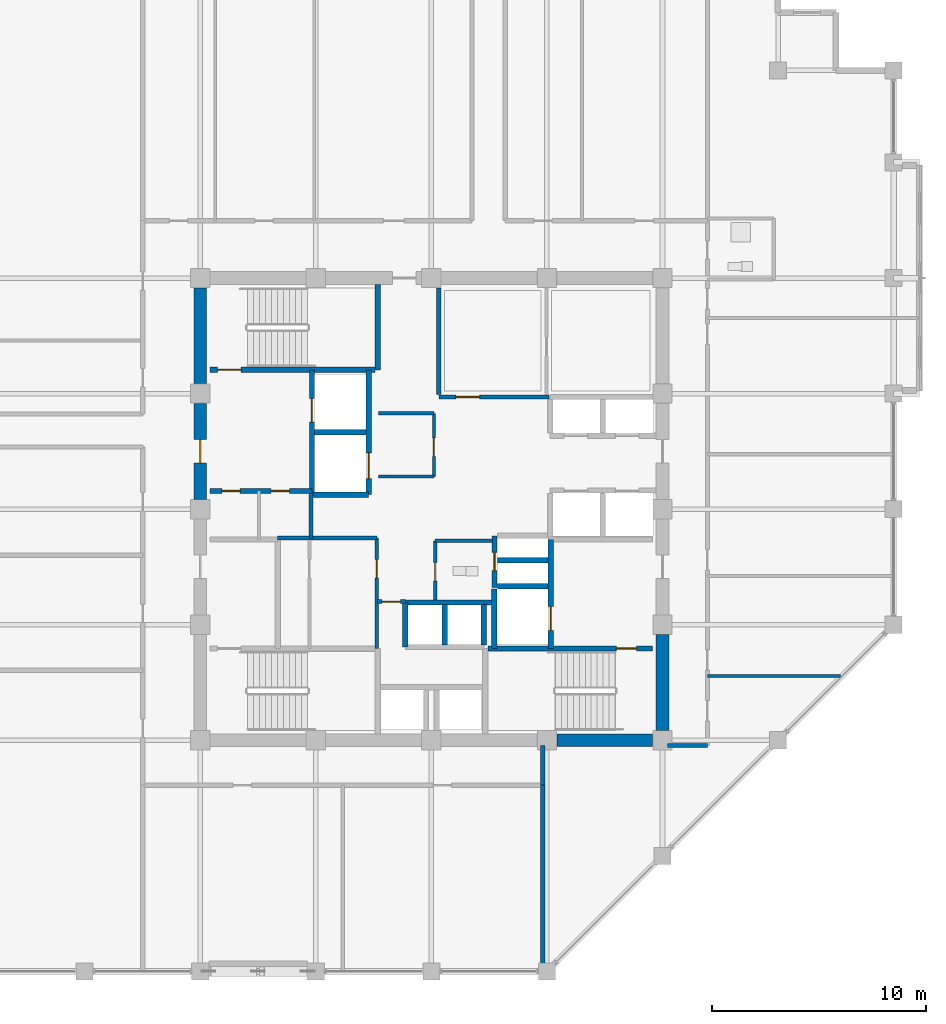
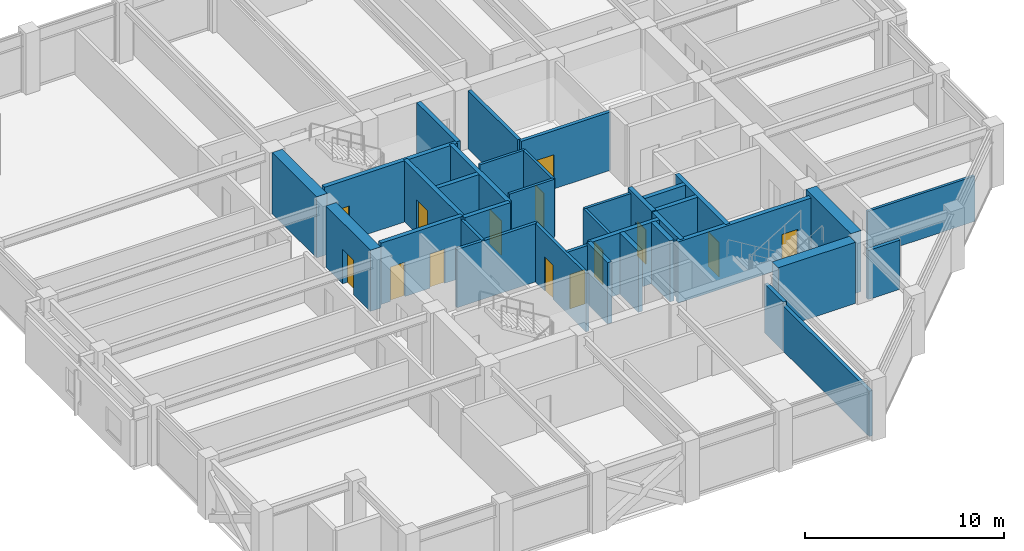
# One storey, part 25 of 30: 36 walls, 14 doors, 14 openings.
"""IFC4 building model written with IfcOpenShell, lengths in metres."""

from ifc_helpers import new_model, si_unit, direction, frame, frame_2d, origin, place, context, subcontext, project, spatial, rectangle, extrude, material, layer, layer_set, type_object, element, fill, save


model = new_model("IFC4")

# Units and contexts
model_context = context("Model", 3, precision=1e-05, world=origin(), true_north=direction((0.0, 1.0)))
body_context = subcontext(model_context, "Body", "Model", "MODEL_VIEW")
ifc_project = project(units=[si_unit("LENGTHUNIT", "METRE"), si_unit("AREAUNIT", "SQUARE_METRE"), si_unit("VOLUMEUNIT", "CUBIC_METRE"), si_unit("PLANEANGLEUNIT", "RADIAN"), si_unit("MASSUNIT", "GRAM", prefix="KILO")], contexts=[model_context])

# Site, building, storey
site_placement = place(None, origin())
site = spatial("IfcSite", under=ifc_project, at=site_placement, CompositionType="ELEMENT")
building_placement = place(site_placement, origin())
building = spatial("IfcBuilding", under=site, at=building_placement, Name="Surkhivell Harbour Commons", CompositionType="ELEMENT")
storey_placement = place(building_placement, frame((0.0, 0.0, 231.0)))
storey = spatial("IfcBuildingStorey", under=building, at=storey_placement, Name="L60", CompositionType="ELEMENT", Elevation=231.0)

# Wall
ifc_material_1 = material(Name="Concrete C60/75", Category="concrete")
ifc_layer_1 = layer(ifc_material_1, 0.60009765625)
ifc_layer_set_1 = layer_set([ifc_layer_1], Name="Concrete C60/75")
wall_type_1 = type_object("IfcWallType", Name="WAL-CORE-600", PredefinedType="SHEAR", material=ifc_layer_set_1)
wall_1_placement = place(storey_placement, frame((10.800048828125, -10.340087890625, 0.0), z_axis=(0.0, 0.0, 1.0), x_axis=(0.0, 1.0, 0.0)))
element("IfcWall", 1, at=wall_1_placement, inside=storey, type_object=wall_type_1, Name="L60 Core Shear Wall East 1", PredefinedType="SHEAR", context=body_context, shape_type="SweptSolid", body=[
    extrude(rectangle(XDim=4.47998046875, YDim=0.60009765625, at=frame_2d((2.239990234375, 0.0))), origin(), (0.0, 0.0, 1.0), 3.75),
])

# Wall, opening, door
wall_2_placement = place(storey_placement, frame((-10.800048828125, 0.4599609375, 0.0), z_axis=(0.0, 0.0, 1.0), x_axis=(0.0, 1.0, 0.0)))
wall_2 = element("IfcWall", 2, at=wall_2_placement, inside=storey, type_object=wall_type_1, Name="L60 Core Shear Wall West 3", PredefinedType="SHEAR", context=body_context, shape_type="SweptSolid", body=[
    extrude(rectangle(XDim=4.47998046875, YDim=0.60009765625, at=frame_2d((2.239990234375, 0.0))), origin(), (0.0, 0.0, 1.0), 3.75),
])
opening_1_placement = place(wall_2_placement, frame((1.68994140625, 0.0, 0.0)))
opening_1 = element("IfcOpeningElement", 3, at=opening_1_placement, cuts=wall_2, Name="Opening ID-1", PredefinedType="OPENING", context=body_context, shape_type="SweptSolid", body=[
    extrude(rectangle(XDim=1.10009765625, YDim=2.10009765625, at=frame_2d((0.550048828125, 1.050048828125))), frame((0.0, 0.31005859375, 0.0), z_axis=(0.0, -1.0, 0.0), x_axis=(1.0, 0.0, 0.0)), (0.0, 0.0, 1.0), 0.6201171875),
])
ifc_material_2 = material(Name="Hardwood-veneered fire-rated door leaf", Category="wood")
door_type_1 = type_object("IfcDoorType", Name="DOR-FD120-1100", OperationType="NOTDEFINED", PredefinedType="DOOR", material=ifc_material_2)
door_1_placement = place(opening_1_placement, origin())
door_1 = element("IfcDoor", 4, at=door_1_placement, inside=storey, type_object=door_type_1, Name="L60 Firefighting Lobby 1 Corridor Door", OperationType="SINGLE_SWING_LEFT", OverallHeight=2.10009765625, OverallWidth=1.10009765625, PredefinedType="DOOR", context=body_context, shape_type="SweptSolid", body=[
    extrude(rectangle(XDim=1.10009765625, YDim=2.10009765625, at=frame_2d((0.550048828125, 1.050048828125))), frame((0.0, 0.02490234375, 0.0), z_axis=(0.0, -1.0, 0.0), x_axis=(1.0, 0.0, 0.0)), (0.0, 0.0, 1.0), 0.050048828125),
])
fill(opening_1, door_1)

# Walls
for number, where, z_axis, x_axis, name in (
    (5, (5.860107421875, -10.800048828125, 0.0), (0.0, 0.0, 1.0), (1.0, 0.0, 0.0), "L60 Core Shear Wall South 4"),
    (6, (-10.800048828125, 5.860107421875, 0.0), (0.0, 0.0, 1.0), (0.0, 1.0, 0.0), "L60 Core Shear Wall West 4"),
):
    element("IfcWall", number, at=place(storey_placement, frame(where, z_axis=z_axis, x_axis=x_axis)), inside=storey, type_object=wall_type_1, Name=name, PredefinedType="SHEAR", context=body_context, shape_type="SweptSolid", body=[
        extrude(rectangle(XDim=4.47998046875, YDim=0.60009765625, at=frame_2d((2.239990234375, 0.0))), origin(), (0.0, 0.0, 1.0), 3.75),
    ])
ifc_material_3 = material(Name="Twin-stud acoustic fireboard partition", Category="other")
ifc_layer_2 = layer(ifc_material_3, 0.14990234375)
ifc_layer_set_2 = layer_set([ifc_layer_2], Name="Twin-stud acoustic fireboard partition")
wall_type_2 = type_object("IfcWallType", Name="WAL-INT-150", PredefinedType="PARTITIONING", material=ifc_layer_set_2)
wall_3_placement = place(storey_placement, frame((0.179931640625, -1.47998046875, 0.0), z_axis=(0.0, 0.0, 1.0), x_axis=(1.0, 0.0, 0.0)))
element("IfcWall", 7, at=wall_3_placement, inside=storey, type_object=wall_type_2, Name="L60 Core Accessible WC North Wall", PredefinedType="PARTITIONING", context=body_context, shape_type="SweptSolid", body=[
    extrude(rectangle(XDim=2.670166015625, YDim=0.14990234375, at=frame_2d((1.3349609375, 0.0))), origin(), (0.0, 0.0, 1.0), 3.570068359375),
])

# Wall, opening, door
wall_4_placement = place(storey_placement, frame((0.179931640625, -4.25, 0.0), z_axis=(0.0, 0.0, 1.0), x_axis=(0.0, 1.0, 0.0)))
wall_4 = element("IfcWall", 8, at=wall_4_placement, inside=storey, type_object=wall_type_2, Name="L60 Core Accessible WC West Wall", PredefinedType="PARTITIONING", context=body_context, shape_type="SweptSolid", body=[
    extrude(rectangle(XDim=2.77001953125, YDim=0.14990234375, at=frame_2d((1.385009765625, 0.0))), origin(), (0.0, 0.0, 1.0), 3.570068359375),
])
opening_2_placement = place(wall_4_placement, frame((0.89990234375, 0.0, 0.0)))
opening_2 = element("IfcOpeningElement", 9, at=opening_2_placement, cuts=wall_4, Name="Opening ID-6", PredefinedType="OPENING", context=body_context, shape_type="SweptSolid", body=[
    extrude(rectangle(XDim=0.85009765625, YDim=2.10009765625, at=frame_2d((0.425048828125, 1.050048828125))), frame((0.0, 0.0849609375, 0.0), z_axis=(0.0, -1.0, 0.0), x_axis=(1.0, 0.0, 0.0)), (0.0, 0.0, 1.0), 0.169921875),
])
door_type_2 = type_object("IfcDoorType", Name="DOR-FD30-850", OperationType="NOTDEFINED", PredefinedType="DOOR", material=ifc_material_2)
door_2_placement = place(opening_2_placement, origin())
door_2 = element("IfcDoor", 10, at=door_2_placement, inside=storey, type_object=door_type_2, Name="L60 Floor Accessible WC Door", OperationType="SINGLE_SWING_LEFT", OverallHeight=2.10009765625, OverallWidth=0.85009765625, PredefinedType="DOOR", context=body_context, shape_type="SweptSolid", body=[
    extrude(rectangle(XDim=0.85009765625, YDim=2.10009765625, at=frame_2d((0.425048828125, 1.050048828125))), frame((0.0, 0.02490234375, 0.0), z_axis=(0.0, -1.0, 0.0), x_axis=(1.0, 0.0, 0.0)), (0.0, 0.0, 1.0), 0.050048828125),
])
fill(opening_2, door_2)

wall_5_placement = place(storey_placement, frame((0.1201171875, 1.52001953125, 0.0), z_axis=(0.0, 0.0, 1.0), x_axis=(0.0, 1.0, 0.0)))
wall_5 = element("IfcWall", 11, at=wall_5_placement, inside=storey, type_object=wall_type_2, Name="L60 Central Reading East Wall", PredefinedType="PARTITIONING", context=body_context, shape_type="SweptSolid", body=[
    extrude(rectangle(XDim=2.9599609375, YDim=0.14990234375, at=frame_2d((1.47998046875, 0.0))), origin(), (0.0, 0.0, 1.0), 3.570068359375),
])
opening_3_placement = place(wall_5_placement, frame((0.949951171875, 0.0, 0.0)))
opening_3 = element("IfcOpeningElement", 12, at=opening_3_placement, cuts=wall_5, Name="Opening ID-6", PredefinedType="OPENING", context=body_context, shape_type="SweptSolid", body=[
    extrude(rectangle(XDim=0.85009765625, YDim=2.10009765625, at=frame_2d((0.425048828125, 1.050048828125))), frame((0.0, 0.0849609375, 0.0), z_axis=(0.0, -1.0, 0.0), x_axis=(1.0, 0.0, 0.0)), (0.0, 0.0, 1.0), 0.169921875),
])
door_3_placement = place(opening_3_placement, origin())
door_3 = element("IfcDoor", 13, at=door_3_placement, inside=storey, type_object=door_type_2, Name="L60 Central Core Reading Door", OperationType="SINGLE_SWING_RIGHT", OverallHeight=2.10009765625, OverallWidth=0.85009765625, PredefinedType="DOOR", context=body_context, shape_type="SweptSolid", body=[
    extrude(rectangle(XDim=0.85009765625, YDim=2.10009765625, at=frame_2d((0.425048828125, 1.050048828125))), frame((0.0, 0.02490234375, 0.0), z_axis=(0.0, -1.0, 0.0), x_axis=(1.0, 0.0, 0.0)), (0.0, 0.0, 1.0), 0.050048828125),
])
fill(opening_3, door_3)

# Walls
for number, where, z_axis, x_axis, name in (
    (14, (-2.47998046875, 4.47998046875, 0.0), (0.0, 0.0, 1.0), (1.0, 0.0, 0.0), "L60 Central Reading North Wall"),
    (15, (-2.47998046875, 1.52001953125, 0.0), (0.0, 0.0, 1.0), (1.0, 0.0, 0.0), "L60 Central Reading South Wall"),
):
    element("IfcWall", number, at=place(storey_placement, frame(where, z_axis=z_axis, x_axis=x_axis)), inside=storey, type_object=wall_type_2, Name=name, PredefinedType="PARTITIONING", context=body_context, shape_type="SweptSolid", body=[
        extrude(rectangle(XDim=2.60009765625, YDim=0.14990234375, at=frame_2d((1.300048828125, 0.0))), origin(), (0.0, 0.0, 1.0), 3.570068359375),
    ])
wall_6_placement = place(storey_placement, frame((12.89990234375, -7.800048828125, 0.0), z_axis=(0.0, 0.0, 1.0), x_axis=(1.0, 0.0, 0.0)))
element("IfcWall", 16, at=wall_6_placement, inside=storey, type_object=wall_type_2, Name="L60 East Partition PBOT", PredefinedType="PARTITIONING", context=body_context, shape_type="SweptSolid", body=[
    extrude(rectangle(XDim=6.21533203125, YDim=0.14990234375, at=frame_2d((3.107666015625, 0.0))), origin(), (0.0, 0.0, 1.0), 2.780029296875),
])

# Wall, opening, door
ifc_material_4 = material(Name="High-density acoustic blockwork fire partition", Category="masonry")
ifc_layer_3 = layer(ifc_material_4, 0.175048828125)
ifc_layer_set_3 = layer_set([ifc_layer_3], Name="High-density acoustic blockwork fire partition")
wall_type_3 = type_object("IfcWallType", Name="WAL-INT-175", PredefinedType="PARTITIONING", material=ifc_layer_set_3)
wall_7_placement = place(storey_placement, frame((-2.550048828125, -6.510009765625, 0.0), z_axis=(0.0, 0.0, 1.0), x_axis=(0.0, 1.0, 0.0)))
wall_7 = element("IfcWall", 17, at=wall_7_placement, inside=storey, type_object=wall_type_3, Name="L60 Core Service Bay East Wall", PredefinedType="PARTITIONING", context=body_context, shape_type="SweptSolid", body=[
    extrude(rectangle(XDim=5.159912109375, YDim=0.175048828125, at=frame_2d((2.580078125, 0.0))), origin(), (0.0, 0.0, 1.0), 3.570068359375),
])
opening_4_placement = place(wall_7_placement, frame((3.300048828125, 0.0, 0.0)))
opening_4 = element("IfcOpeningElement", 18, at=opening_4_placement, cuts=wall_7, Name="Opening ID-6", PredefinedType="OPENING", context=body_context, shape_type="SweptSolid", body=[
    extrude(rectangle(XDim=0.85009765625, YDim=2.10009765625, at=frame_2d((0.425048828125, 1.050048828125))), frame((0.0, 0.097412109375, 0.0), z_axis=(0.0, -1.0, 0.0), x_axis=(1.0, 0.0, 0.0)), (0.0, 0.0, 1.0), 0.195068359375),
])
door_4_placement = place(opening_4_placement, origin())
door_4 = element("IfcDoor", 19, at=door_4_placement, inside=storey, type_object=door_type_2, Name="L60 Core Music Door", OperationType="SINGLE_SWING_LEFT", OverallHeight=2.10009765625, OverallWidth=0.85009765625, PredefinedType="DOOR", context=body_context, shape_type="SweptSolid", body=[
    extrude(rectangle(XDim=0.85009765625, YDim=2.10009765625, at=frame_2d((0.425048828125, 1.050048828125))), frame((0.0, 0.02490234375, 0.0), z_axis=(0.0, -1.0, 0.0), x_axis=(1.0, 0.0, 0.0)), (0.0, 0.0, 1.0), 0.050048828125),
])
fill(opening_4, door_4)

# Walls
wall_8_placement = place(storey_placement, frame((-7.179931640625, -1.35009765625, 0.0), z_axis=(0.0, 0.0, 1.0), x_axis=(1.0, 0.0, 0.0)))
element("IfcWall", 20, at=wall_8_placement, inside=storey, type_object=wall_type_3, Name="L60 Core Service Bay North Wall", PredefinedType="PARTITIONING", context=body_context, shape_type="SweptSolid", body=[
    extrude(rectangle(XDim=4.6298828125, YDim=0.175048828125, at=frame_2d((2.31494140625, 0.0))), origin(), (0.0, 0.0, 1.0), 3.570068359375),
])
wall_9_placement = place(storey_placement, frame((-5.6201171875, -1.35009765625, 0.0), z_axis=(0.0, 0.0, 1.0), x_axis=(0.0, 1.0, 0.0)))
element("IfcWall", 21, at=wall_9_placement, inside=storey, type_object=wall_type_3, Name="L60 West Core Bay East Wall", PredefinedType="PARTITIONING", context=body_context, shape_type="SweptSolid", body=[
    extrude(rectangle(XDim=2.070068359375, YDim=0.175048828125, at=frame_2d((1.03515625, 0.0))), origin(), (0.0, 0.0, 1.0), 3.570068359375),
])

# Wall, opening, door
wall_10_placement = place(storey_placement, frame((-2.52001953125, -4.320068359375, 0.0), z_axis=(0.0, 0.0, 1.0), x_axis=(1.0, 0.0, 0.0)))
wall_10 = element("IfcWall", 22, at=wall_10_placement, inside=storey, type_object=wall_type_3, Name="L60 High-Rise Lobby North Portal Wall", PredefinedType="PARTITIONING", context=body_context, shape_type="SweptSolid", body=[
    extrude(rectangle(XDim=1.300048828125, YDim=0.175048828125, at=frame_2d((0.64990234375, 0.0))), origin(), (0.0, 0.0, 1.0), 3.570068359375),
])
opening_5_placement = place(wall_10_placement, frame((0.219970703125, 0.0, 0.0)))
opening_5 = element("IfcOpeningElement", 23, at=opening_5_placement, cuts=wall_10, Name="Opening ID-6", PredefinedType="OPENING", context=body_context, shape_type="SweptSolid", body=[
    extrude(rectangle(XDim=0.85009765625, YDim=2.10009765625, at=frame_2d((0.425048828125, 1.050048828125))), frame((0.0, 0.097412109375, 0.0), z_axis=(0.0, -1.0, 0.0), x_axis=(1.0, 0.0, 0.0)), (0.0, 0.0, 1.0), 0.195068359375),
])
door_5_placement = place(opening_5_placement, origin())
door_5 = element("IfcDoor", 24, at=door_5_placement, inside=storey, type_object=door_type_2, Name="L60 High-Rise Lift Lobby North Door", OperationType="SINGLE_SWING_LEFT", OverallHeight=2.10009765625, OverallWidth=0.85009765625, PredefinedType="DOOR", context=body_context, shape_type="SweptSolid", body=[
    extrude(rectangle(XDim=0.85009765625, YDim=2.10009765625, at=frame_2d((0.425048828125, 1.050048828125))), frame((0.0, 0.02490234375, 0.0), z_axis=(0.0, -1.0, 0.0), x_axis=(1.0, 0.0, 0.0)), (0.0, 0.0, 1.0), 0.050048828125),
])
fill(opening_5, door_5)

ifc_material_5 = material(Name="Autoclaved aerated concrete blockwork and fire plaster", Category="masonry")
ifc_layer_4 = layer(ifc_material_5, 0.199951171875)
ifc_layer_set_4 = layer_set([ifc_layer_4], Name="Autoclaved aerated concrete blockwork and fire plaster")
wall_type_4 = type_object("IfcWallType", Name="WAL-INT-200", PredefinedType="PARTITIONING", material=ifc_layer_set_4)
wall_11_placement = place(storey_placement, frame((0.35009765625, 5.239990234375, 0.0), z_axis=(0.0, 0.0, 1.0), x_axis=(1.0, 0.0, 0.0)))
wall_11 = element("IfcWall", 25, at=wall_11_placement, inside=storey, type_object=wall_type_4, Name="L60 Reclaimed Core North Bay South Wall", PredefinedType="PARTITIONING", context=body_context, shape_type="SweptSolid", body=[
    extrude(rectangle(XDim=5.14990234375, YDim=0.199951171875, at=frame_2d((2.574951171875, 0.0))), origin(), (0.0, 0.0, 1.0), 3.570068359375),
])
opening_6_placement = place(wall_11_placement, frame((0.800048828125, 0.0, 0.0)))
opening_6 = element("IfcOpeningElement", 26, at=opening_6_placement, cuts=wall_11, Name="Opening ID-2", PredefinedType="OPENING", context=body_context, shape_type="SweptSolid", body=[
    extrude(rectangle(XDim=1.10009765625, YDim=2.10009765625, at=frame_2d((0.550048828125, 1.050048828125))), frame((0.0, 0.10986328125, 0.0), z_axis=(0.0, -1.0, 0.0), x_axis=(1.0, 0.0, 0.0)), (0.0, 0.0, 1.0), 0.219970703125),
])
door_type_3 = type_object("IfcDoorType", Name="DOR-FD60-1100", OperationType="NOTDEFINED", PredefinedType="DOOR", material=ifc_material_2)
door_6_placement = place(opening_6_placement, origin())
door_6 = element("IfcDoor", 27, at=door_6_placement, inside=storey, type_object=door_type_3, Name="L60 Core Study Door", OperationType="SINGLE_SWING_LEFT", OverallHeight=2.10009765625, OverallWidth=1.10009765625, PredefinedType="DOOR", context=body_context, shape_type="SweptSolid", body=[
    extrude(rectangle(XDim=1.10009765625, YDim=2.10009765625, at=frame_2d((0.550048828125, 1.050048828125))), frame((0.0, 0.02490234375, 0.0), z_axis=(0.0, -1.0, 0.0), x_axis=(1.0, 0.0, 0.0)), (0.0, 0.0, 1.0), 0.050048828125),
])
fill(opening_6, door_6)

# Walls
wall_12_placement = place(storey_placement, frame((0.35009765625, 5.360107421875, 0.0), z_axis=(0.0, 0.0, 1.0), x_axis=(0.0, 1.0, 0.0)))
element("IfcWall", 28, at=wall_12_placement, inside=storey, type_object=wall_type_4, Name="L60 Reclaimed Core North Bay West Wall", PredefinedType="PARTITIONING", context=body_context, shape_type="SweptSolid", body=[
    extrude(rectangle(XDim=4.97998046875, YDim=0.199951171875, at=frame_2d((2.489990234375, 0.0))), origin(), (0.0, 0.0, 1.0), 3.570068359375),
])
wall_13_placement = place(storey_placement, frame((5.199951171875, -21.5400390625, 0.0), z_axis=(0.0, 0.0, 1.0), x_axis=(0.0, 1.0, 0.0)))
element("IfcWall", 29, at=wall_13_placement, inside=storey, type_object=wall_type_4, Name="L60 South-East Corner Wall", PredefinedType="PARTITIONING", context=body_context, shape_type="SweptSolid", body=[
    extrude(rectangle(XDim=8.64013671875, YDim=0.199951171875, at=frame_2d((4.320068359375, 0.0))), origin(), (0.0, 0.0, 1.0), 2.780029296875),
])
for number, where, z_axis, x_axis, name in (
    (30, (11.0400390625, -11.0400390625, 0.0), (0.0, 0.0, 1.0), (1.0, 0.0, 0.0), "L60 Corridor East South Closure Wall"),
    (31, (5.199951171875, -12.89990234375, 0.0), (0.0, 0.0, 1.0), (0.0, 1.0, 0.0), "L60 Corridor South End Wall"),
):
    element("IfcWall", number, at=place(storey_placement, frame(where, z_axis=z_axis, x_axis=x_axis)), inside=storey, type_object=wall_type_4, Name=name, PredefinedType="PARTITIONING", context=body_context, shape_type="SweptSolid", body=[
        extrude(rectangle(XDim=1.85986328125, YDim=0.199951171875, at=frame_2d((0.929931640625, 0.0))), origin(), (0.0, 0.0, 1.0), 3.006103515625),
    ])

# Wall, opening, door
ifc_material_6 = material(Name="Concrete C50/60", Category="concrete")
ifc_layer_5 = layer(ifc_material_6, 0.25)
ifc_layer_set_5 = layer_set([ifc_layer_5], Name="Concrete C50/60")
wall_type_5 = type_object("IfcWallType", Name="WAL-SHAFT-250", PredefinedType="SHEAR", material=ifc_layer_set_5)
wall_14_placement = place(storey_placement, frame((-5.580078125, 0.719970703125, 0.0), z_axis=(0.0, 0.0, 1.0), x_axis=(0.0, 1.0, 0.0)))
wall_14 = element("IfcWall", 32, at=wall_14_placement, inside=storey, type_object=wall_type_5, Name="L60 Firefighting Lobby 1 East Shaft Wall", PredefinedType="SHEAR", context=body_context, shape_type="SweptSolid", body=[
    extrude(rectangle(XDim=5.7900390625, YDim=0.25, at=frame_2d((2.89501953125, 0.0))), origin(), (0.0, 0.0, 1.0), 3.75),
])
opening_7_placement = place(wall_14_placement, frame((3.35009765625, 0.0, 0.0)))
opening_7 = element("IfcOpeningElement", 33, at=opening_7_placement, cuts=wall_14, Name="Opening LD-1", PredefinedType="OPENING", context=body_context, shape_type="SweptSolid", body=[
    extrude(rectangle(XDim=1.10009765625, YDim=2.10009765625, at=frame_2d((0.550048828125, 1.050048828125))), frame((0.0, 0.135009765625, 0.0), z_axis=(0.0, -1.0, 0.0), x_axis=(1.0, 0.0, 0.0)), (0.0, 0.0, 1.0), 0.27001953125),
])
ifc_material_7 = material(Name="Brushed stainless steel S355", Category="steel")
door_type_4 = type_object("IfcDoorType", Name="DOR-LD-1100", OperationType="SLIDING_TO_LEFT", PredefinedType="DOOR", material=ifc_material_7)
door_7_placement = place(opening_7_placement, origin())
door_7 = element("IfcDoor", 34, at=door_7_placement, inside=storey, type_object=door_type_4, Name="L60 Lift Landing Door LD-FFL1", OperationType="SLIDING_TO_LEFT", OverallHeight=2.10009765625, OverallWidth=1.10009765625, PredefinedType="DOOR", context=body_context, shape_type="SweptSolid", body=[
    extrude(rectangle(XDim=1.10009765625, YDim=2.10009765625, at=frame_2d((0.550048828125, 1.050048828125))), frame((0.0, 0.02490234375, 0.0), z_axis=(0.0, -1.0, 0.0), x_axis=(1.0, 0.0, 0.0)), (0.0, 0.0, 1.0), 0.050048828125),
])
fill(opening_7, door_7)

# Wall, openings, doors
wall_15_placement = place(storey_placement, frame((-10.340087890625, 0.85009765625, 0.0), z_axis=(0.0, 0.0, 1.0), x_axis=(1.0, 0.0, 0.0)))
wall_15 = element("IfcWall", 35, at=wall_15_placement, inside=storey, type_object=wall_type_5, Name="L60 Firefighting Lobby 1 South Wall", PredefinedType="SHEAR", context=body_context, shape_type="SweptSolid", body=[
    extrude(rectangle(XDim=4.760009765625, YDim=0.25, at=frame_2d((2.3798828125, 0.0))), origin(), (0.0, 0.0, 1.0), 3.75),
])
opening_8_placement = place(wall_15_placement, frame((0.550048828125, 0.0, 0.0)))
opening_8 = element("IfcOpeningElement", 36, at=opening_8_placement, cuts=wall_15, Name="Opening ID-6", PredefinedType="OPENING", context=body_context, shape_type="SweptSolid", body=[
    extrude(rectangle(XDim=0.85009765625, YDim=2.10009765625, at=frame_2d((0.425048828125, 1.050048828125))), frame((0.0, 0.135009765625, 0.0), z_axis=(0.0, -1.0, 0.0), x_axis=(1.0, 0.0, 0.0)), (0.0, 0.0, 1.0), 0.27001953125),
])
opening_9_placement = place(wall_15_placement, frame((2.85009765625, 0.0, 0.0)))
opening_9 = element("IfcOpeningElement", 37, at=opening_9_placement, cuts=wall_15, Name="Opening ID-6", PredefinedType="OPENING", context=body_context, shape_type="SweptSolid", body=[
    extrude(rectangle(XDim=0.85009765625, YDim=2.10009765625, at=frame_2d((0.425048828125, 1.050048828125))), frame((0.0, 0.135009765625, 0.0), z_axis=(0.0, -1.0, 0.0), x_axis=(1.0, 0.0, 0.0)), (0.0, 0.0, 1.0), 0.27001953125),
])
door_8_placement = place(opening_8_placement, origin())
door_8 = element("IfcDoor", 38, at=door_8_placement, inside=storey, type_object=door_type_2, Name="L60 West Seminar 1 Door", OperationType="SINGLE_SWING_LEFT", OverallHeight=2.10009765625, OverallWidth=0.85009765625, PredefinedType="DOOR", context=body_context, shape_type="SweptSolid", body=[
    extrude(rectangle(XDim=0.85009765625, YDim=2.10009765625, at=frame_2d((0.425048828125, 1.050048828125))), frame((0.0, 0.02490234375, 0.0), z_axis=(0.0, -1.0, 0.0), x_axis=(1.0, 0.0, 0.0)), (0.0, 0.0, 1.0), 0.050048828125),
])
fill(opening_8, door_8)
door_9_placement = place(opening_9_placement, origin())
door_9 = element("IfcDoor", 39, at=door_9_placement, inside=storey, type_object=door_type_2, Name="L60 West Seminar 2 Door", OperationType="SINGLE_SWING_RIGHT", OverallHeight=2.10009765625, OverallWidth=0.85009765625, PredefinedType="DOOR", context=body_context, shape_type="SweptSolid", body=[
    extrude(rectangle(XDim=0.85009765625, YDim=2.10009765625, at=frame_2d((0.425048828125, 1.050048828125))), frame((0.0, 0.02490234375, 0.0), z_axis=(0.0, -1.0, 0.0), x_axis=(1.0, 0.0, 0.0)), (0.0, 0.0, 1.0), 0.050048828125),
])
fill(opening_9, door_9)

# Walls
wall_16_placement = place(storey_placement, frame((2.929931640625, -6.510009765625, 0.0), z_axis=(0.0, 0.0, 1.0), x_axis=(0.0, 1.0, 0.0)))
element("IfcWall", 40, at=wall_16_placement, inside=storey, type_object=wall_type_5, Name="L60 FFL2 West Shaft Wall", PredefinedType="SHEAR", context=body_context, shape_type="SweptSolid", body=[
    extrude(rectangle(XDim=2.7900390625, YDim=0.25, at=frame_2d((1.39501953125, 0.0))), origin(), (0.0, 0.0, 1.0), 3.75),
])
wall_17_placement = place(storey_placement, frame((3.080078125, -3.60009765625, 0.0), z_axis=(0.0, 0.0, 1.0), x_axis=(1.0, 0.0, 0.0)))
element("IfcWall", 41, at=wall_17_placement, inside=storey, type_object=wall_type_5, Name="L60 FFL2 North Shaft Wall", PredefinedType="SHEAR", context=body_context, shape_type="SweptSolid", body=[
    extrude(rectangle(XDim=2.369873046875, YDim=0.25, at=frame_2d((1.18505859375, 0.0))), origin(), (0.0, 0.0, 1.0), 3.75),
])

# Wall, opening, door
wall_18_placement = place(storey_placement, frame((5.580078125, -6.510009765625, 0.0), z_axis=(0.0, 0.0, 1.0), x_axis=(0.0, 1.0, 0.0)))
wall_18 = element("IfcWall", 42, at=wall_18_placement, inside=storey, type_object=wall_type_5, Name="L60 Firefighting Lobby 2 West Shaft Wall", PredefinedType="SHEAR", context=body_context, shape_type="SweptSolid", body=[
    extrude(rectangle(XDim=5.090087890625, YDim=0.25, at=frame_2d((2.544921875, 0.0))), origin(), (0.0, 0.0, 1.0), 3.75),
])
opening_10_placement = place(wall_18_placement, frame((0.85009765625, 0.0, 0.0)))
opening_10 = element("IfcOpeningElement", 43, at=opening_10_placement, cuts=wall_18, Name="Opening LD-1", PredefinedType="OPENING", context=body_context, shape_type="SweptSolid", body=[
    extrude(rectangle(XDim=1.10009765625, YDim=2.10009765625, at=frame_2d((0.550048828125, 1.050048828125))), frame((0.0, 0.135009765625, 0.0), z_axis=(0.0, -1.0, 0.0), x_axis=(1.0, 0.0, 0.0)), (0.0, 0.0, 1.0), 0.27001953125),
])
door_10_placement = place(opening_10_placement, origin())
door_10 = element("IfcDoor", 44, at=door_10_placement, inside=storey, type_object=door_type_4, Name="L60 Lift Landing Door LD-FFL2", OperationType="SLIDING_TO_RIGHT", OverallHeight=2.10009765625, OverallWidth=1.10009765625, PredefinedType="DOOR", context=body_context, shape_type="SweptSolid", body=[
    extrude(rectangle(XDim=1.10009765625, YDim=2.10009765625, at=frame_2d((0.550048828125, 1.050048828125))), frame((0.0, 0.02490234375, 0.0), z_axis=(0.0, -1.0, 0.0), x_axis=(1.0, 0.0, 0.0)), (0.0, 0.0, 1.0), 0.050048828125),
])
fill(opening_10, door_10)

# Walls
for number, where, z_axis, x_axis, name in (
    (45, (0.6201171875, -6.340087890625, 0.0), (0.0, 0.0, 1.0), (0.0, 1.0, 0.0), "L60 High-Rise Side Wall N"),
    (46, (2.449951171875, -6.340087890625, 0.0), (0.0, 0.0, 1.0), (0.0, 1.0, 0.0), "L60 High-Rise Side Wall N"),
):
    element("IfcWall", number, at=place(storey_placement, frame(where, z_axis=z_axis, x_axis=x_axis)), inside=storey, type_object=wall_type_5, Name=name, PredefinedType="SHEAR", context=body_context, shape_type="SweptSolid", body=[
        extrude(rectangle(XDim=1.880126953125, YDim=0.25, at=frame_2d((0.93994140625, 0.0))), origin(), (0.0, 0.0, 1.0), 3.75),
    ])
wall_19_placement = place(storey_placement, frame((-1.219970703125, -6.43994140625, 0.0), z_axis=(0.0, 0.0, 1.0), x_axis=(0.0, 1.0, 0.0)))
element("IfcWall", 47, at=wall_19_placement, inside=storey, type_object=wall_type_5, Name="L60 High-Rise Passage East Shaft Wall", PredefinedType="SHEAR", context=body_context, shape_type="SweptSolid", body=[
    extrude(rectangle(XDim=2.079833984375, YDim=0.25, at=frame_2d((1.0400390625, 0.0))), origin(), (0.0, 0.0, 1.0), 3.75),
])
wall_20_placement = place(storey_placement, frame((-1.219970703125, -4.360107421875, 0.0), z_axis=(0.0, 0.0, 1.0), x_axis=(1.0, 0.0, 0.0)))
element("IfcWall", 48, at=wall_20_placement, inside=storey, type_object=wall_type_5, Name="L60 High-Rise North Back Shaft Wall", PredefinedType="SHEAR", context=body_context, shape_type="SweptSolid", body=[
    extrude(rectangle(XDim=4.030029296875, YDim=0.25, at=frame_2d((2.01513671875, 0.0))), origin(), (0.0, 0.0, 1.0), 3.75),
])
wall_21_placement = place(storey_placement, frame((3.080078125, -2.3798828125, 0.0), z_axis=(0.0, 0.0, 1.0), x_axis=(1.0, 0.0, 0.0)))
element("IfcWall", 49, at=wall_21_placement, inside=storey, type_object=wall_type_5, Name="L60 Riser Divider Wall", PredefinedType="SHEAR", context=body_context, shape_type="SweptSolid", body=[
    extrude(rectangle(XDim=2.369873046875, YDim=0.25, at=frame_2d((1.18505859375, 0.0))), origin(), (0.0, 0.0, 1.0), 3.75),
])

# Wall, opening, door
wall_22_placement = place(storey_placement, frame((2.949951171875, -3.64990234375, 0.0), z_axis=(0.0, 0.0, 1.0), x_axis=(0.0, 1.0, 0.0)))
wall_22 = element("IfcWall", 50, at=wall_22_placement, inside=storey, type_object=wall_type_5, Name="L60 Riser Shaft West Wall", PredefinedType="SHEAR", context=body_context, shape_type="SweptSolid", body=[
    extrude(rectangle(XDim=2.39990234375, YDim=0.25, at=frame_2d((1.199951171875, 0.0))), origin(), (0.0, 0.0, 1.0), 3.75),
])
opening_11_placement = place(wall_22_placement, frame((0.77490234375, 0.0, 0.0)))
opening_11 = element("IfcOpeningElement", 51, at=opening_11_placement, cuts=wall_22, Name="Opening ID-6", PredefinedType="OPENING", context=body_context, shape_type="SweptSolid", body=[
    extrude(rectangle(XDim=0.85009765625, YDim=2.10009765625, at=frame_2d((0.425048828125, 1.050048828125))), frame((0.0, 0.135009765625, 0.0), z_axis=(0.0, -1.0, 0.0), x_axis=(1.0, 0.0, 0.0)), (0.0, 0.0, 1.0), 0.27001953125),
])
door_11_placement = place(opening_11_placement, origin())
door_11 = element("IfcDoor", 52, at=door_11_placement, inside=storey, type_object=door_type_2, Name="L60 Electrical Riser Access Door", OperationType="SINGLE_SWING_LEFT", OverallHeight=2.10009765625, OverallWidth=0.85009765625, PredefinedType="DOOR", context=body_context, shape_type="SweptSolid", body=[
    extrude(rectangle(XDim=0.85009765625, YDim=2.10009765625, at=frame_2d((0.425048828125, 1.050048828125))), frame((0.0, 0.02490234375, 0.0), z_axis=(0.0, -1.0, 0.0), x_axis=(1.0, 0.0, 0.0)), (0.0, 0.0, 1.0), 0.050048828125),
])
fill(opening_11, door_11)

# Wall
wall_23_placement = place(storey_placement, frame((-2.510009765625, 6.510009765625, 0.0), z_axis=(0.0, 0.0, 1.0), x_axis=(0.0, 1.0, 0.0)))
element("IfcWall", 53, at=wall_23_placement, inside=storey, type_object=wall_type_5, Name="L60 Stair ST1 East Shear Wall", PredefinedType="SHEAR", context=body_context, shape_type="SweptSolid", body=[
    extrude(rectangle(XDim=3.989990234375, YDim=0.25, at=frame_2d((1.9951171875, 0.0))), origin(), (0.0, 0.0, 1.0), 3.75),
])

# Wall, opening, door
wall_24_placement = place(storey_placement, frame((-10.340087890625, 6.510009765625, 0.0), z_axis=(0.0, 0.0, 1.0), x_axis=(1.0, 0.0, 0.0)))
wall_24 = element("IfcWall", 54, at=wall_24_placement, inside=storey, type_object=wall_type_5, Name="L60 Stair ST1 South Shear Wall", PredefinedType="SHEAR", context=body_context, shape_type="SweptSolid", body=[
    extrude(rectangle(XDim=7.7001953125, YDim=0.25, at=frame_2d((3.85009765625, 0.0))), origin(), (0.0, 0.0, 1.0), 3.75),
])
opening_12_placement = place(wall_24_placement, frame((0.35009765625, 0.0, 0.0)))
opening_12 = element("IfcOpeningElement", 55, at=opening_12_placement, cuts=wall_24, Name="Opening ID-2", PredefinedType="OPENING", context=body_context, shape_type="SweptSolid", body=[
    extrude(rectangle(XDim=1.10009765625, YDim=2.10009765625, at=frame_2d((0.550048828125, 1.050048828125))), frame((0.0, 0.135009765625, 0.0), z_axis=(0.0, -1.0, 0.0), x_axis=(1.0, 0.0, 0.0)), (0.0, 0.0, 1.0), 0.27001953125),
])
door_12_placement = place(opening_12_placement, origin())
door_12 = element("IfcDoor", 56, at=door_12_placement, inside=storey, type_object=door_type_3, Name="L60 Stair ST1 Exit Door", OperationType="SINGLE_SWING_LEFT", OverallHeight=2.10009765625, OverallWidth=1.10009765625, PredefinedType="DOOR", context=body_context, shape_type="SweptSolid", body=[
    extrude(rectangle(XDim=1.10009765625, YDim=2.10009765625, at=frame_2d((0.550048828125, 1.050048828125))), frame((0.0, 0.02490234375, 0.0), z_axis=(0.0, -1.0, 0.0), x_axis=(1.0, 0.0, 0.0)), (0.0, 0.0, 1.0), 0.050048828125),
])
fill(opening_12, door_12)

wall_25_placement = place(storey_placement, frame((2.639892578125, -6.510009765625, 0.0), z_axis=(0.0, 0.0, 1.0), x_axis=(1.0, 0.0, 0.0)))
wall_25 = element("IfcWall", 57, at=wall_25_placement, inside=storey, type_object=wall_type_5, Name="L60 Stair ST2 North Shear Wall", PredefinedType="SHEAR", context=body_context, shape_type="SweptSolid", body=[
    extrude(rectangle(XDim=7.7001953125, YDim=0.25, at=frame_2d((3.85009765625, 0.0))), origin(), (0.0, 0.0, 1.0), 3.75),
])
opening_13_placement = place(wall_25_placement, frame((6.0, 0.0, 0.0)))
opening_13 = element("IfcOpeningElement", 58, at=opening_13_placement, cuts=wall_25, Name="Opening ID-4", PredefinedType="OPENING", context=body_context, shape_type="SweptSolid", body=[
    extrude(rectangle(XDim=0.949951171875, YDim=2.10009765625, at=frame_2d((0.47509765625, 1.050048828125))), frame((0.0, 0.135009765625, 0.0), z_axis=(0.0, -1.0, 0.0), x_axis=(1.0, 0.0, 0.0)), (0.0, 0.0, 1.0), 0.27001953125),
])
door_type_5 = type_object("IfcDoorType", Name="DOR-FD60-950", OperationType="NOTDEFINED", PredefinedType="DOOR", material=ifc_material_2)
door_13_placement = place(opening_13_placement, origin())
door_13 = element("IfcDoor", 59, at=door_13_placement, inside=storey, type_object=door_type_5, Name="L60 Stair ST2 Exit Door", OperationType="SINGLE_SWING_RIGHT", OverallHeight=2.10009765625, OverallWidth=0.949951171875, PredefinedType="DOOR", context=body_context, shape_type="SweptSolid", body=[
    extrude(rectangle(XDim=0.949951171875, YDim=2.10009765625, at=frame_2d((0.47509765625, 1.050048828125))), frame((0.0, 0.02490234375, 0.0), z_axis=(0.0, -1.0, 0.0), x_axis=(1.0, 0.0, 0.0)), (0.0, 0.0, 1.0), 0.050048828125),
])
fill(opening_13, door_13)

wall_26_placement = place(storey_placement, frame((-2.929931640625, 0.679931640625, 0.0), z_axis=(0.0, 0.0, 1.0), x_axis=(0.0, 1.0, 0.0)))
wall_26 = element("IfcWall", 60, at=wall_26_placement, inside=storey, type_object=wall_type_5, Name="L60 Service and Fire Lift East Shaft Wall", PredefinedType="SHEAR", context=body_context, shape_type="SweptSolid", body=[
    extrude(rectangle(XDim=5.830078125, YDim=0.25, at=frame_2d((2.9150390625, 0.0))), origin(), (0.0, 0.0, 1.0), 3.75),
])
opening_14_placement = place(wall_26_placement, frame((0.75, 0.0, 0.0)))
opening_14 = element("IfcOpeningElement", 61, at=opening_14_placement, cuts=wall_26, Name="Opening LD-2", PredefinedType="OPENING", context=body_context, shape_type="SweptSolid", body=[
    extrude(rectangle(XDim=1.199951171875, YDim=2.10009765625, at=frame_2d((0.60009765625, 1.050048828125))), frame((0.0, 0.135009765625, 0.0), z_axis=(0.0, -1.0, 0.0), x_axis=(1.0, 0.0, 0.0)), (0.0, 0.0, 1.0), 0.27001953125),
])
door_type_6 = type_object("IfcDoorType", Name="DOR-LD-1200", OperationType="SLIDING_TO_LEFT", PredefinedType="DOOR", material=ifc_material_7)
door_14_placement = place(opening_14_placement, origin())
door_14 = element("IfcDoor", 62, at=door_14_placement, inside=storey, type_object=door_type_6, Name="L60 Lift Landing Door LD-SVL1", OperationType="SLIDING_TO_LEFT", OverallHeight=2.10009765625, OverallWidth=1.199951171875, PredefinedType="DOOR", context=body_context, shape_type="SweptSolid", body=[
    extrude(rectangle(XDim=1.199951171875, YDim=2.10009765625, at=frame_2d((0.60009765625, 1.050048828125))), frame((0.0, 0.02490234375, 0.0), z_axis=(0.0, -1.0, 0.0), x_axis=(1.0, 0.0, 0.0)), (0.0, 0.0, 1.0), 0.050048828125),
])
fill(opening_14, door_14)

# Walls
wall_27_placement = place(storey_placement, frame((-5.449951171875, 3.60009765625, 0.0), z_axis=(0.0, 0.0, 1.0), x_axis=(1.0, 0.0, 0.0)))
element("IfcWall", 63, at=wall_27_placement, inside=storey, type_object=wall_type_5, Name="L60 FFL1/SVL1 Shaft Divider", PredefinedType="SHEAR", context=body_context, shape_type="SweptSolid", body=[
    extrude(rectangle(XDim=2.389892578125, YDim=0.25, at=frame_2d((1.19482421875, 0.0))), origin(), (0.0, 0.0, 1.0), 3.75),
])
wall_28_placement = place(storey_placement, frame((-5.580078125, 0.679931640625, 0.0), z_axis=(0.0, 0.0, 1.0), x_axis=(1.0, 0.0, 0.0)))
element("IfcWall", 64, at=wall_28_placement, inside=storey, type_object=wall_type_5, Name="L60 SVL1 South Shaft Wall", PredefinedType="SHEAR", context=body_context, shape_type="SweptSolid", body=[
    extrude(rectangle(XDim=2.650146484375, YDim=0.25, at=frame_2d((1.3251953125, 0.0))), origin(), (0.0, 0.0, 1.0), 3.75),
])

save(model, "model.ifc")
